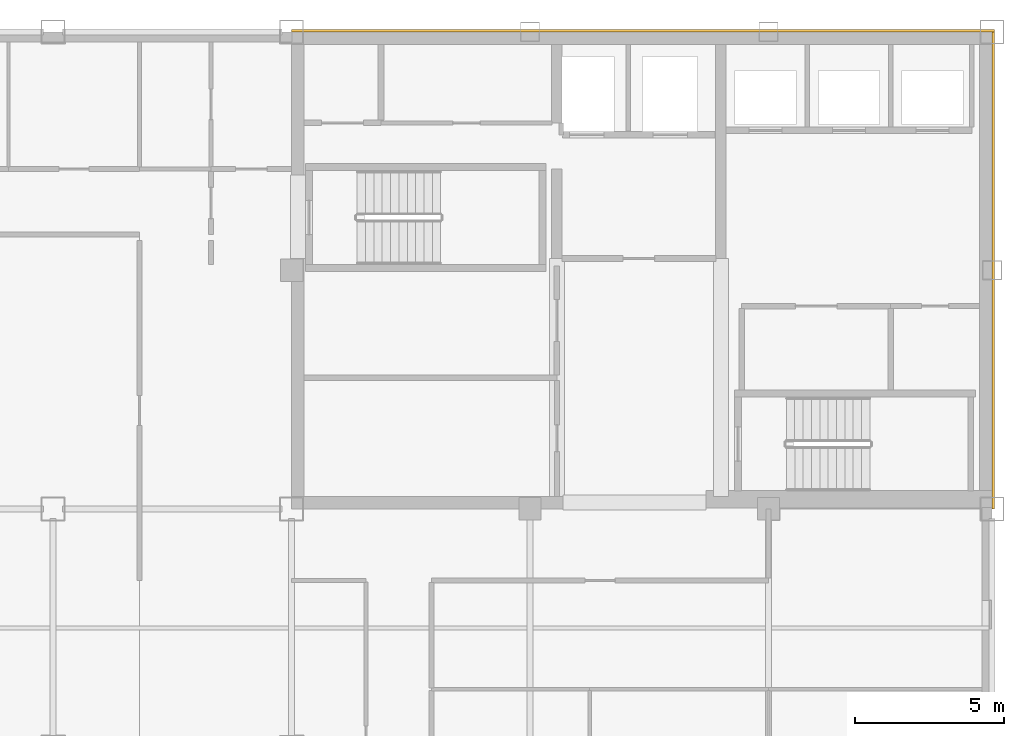
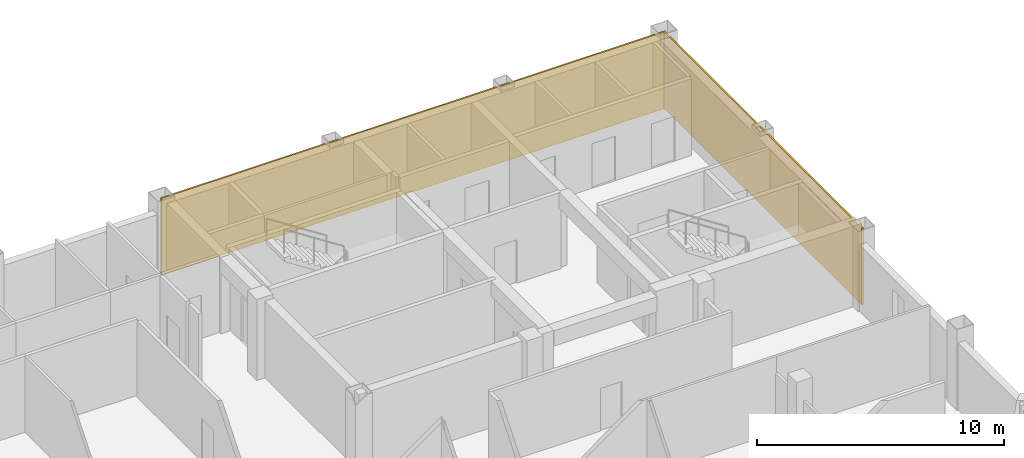
# One storey, part 7 of 7: 2 coverings.
"""IFC4 building model written with IfcOpenShell, lengths in metres."""

from ifc_helpers import new_model, si_unit, direction, frame, origin, origin_2d, place, context, subcontext, project, spatial, rectangle, extrude, material, layer, layer_set, type_object, element, save


model = new_model("IFC4")

# Units and contexts
model_context = context("Model", 3, precision=1e-05, world=origin(), true_north=direction((0.0, 1.0)))
body_context = subcontext(model_context, "Body", "Model", "MODEL_VIEW")
ifc_project = project(units=[si_unit("LENGTHUNIT", "METRE"), si_unit("AREAUNIT", "SQUARE_METRE"), si_unit("VOLUMEUNIT", "CUBIC_METRE"), si_unit("PLANEANGLEUNIT", "RADIAN"), si_unit("MASSUNIT", "GRAM", prefix="KILO")], contexts=[model_context])

# Site, building, storey
site_placement = place(None, origin())
site = spatial("IfcSite", under=ifc_project, at=site_placement, CompositionType="ELEMENT")
building_placement = place(site_placement, origin())
building = spatial("IfcBuilding", under=site, at=building_placement, Name="Qianrong Seaharbour Tower", CompositionType="ELEMENT")
storey_placement = place(building_placement, frame((0.0, 0.0, 359.199951171875)))
storey = spatial("IfcBuildingStorey", under=building, at=storey_placement, Name="L87", CompositionType="ELEMENT", Elevation=359.199951171875)

# Coverings
ifc_material = material(Name="Unitised red brick cladding on Precast concrete C45/55", Category="masonry")
ifc_layer = layer(ifc_material, 0.080078125)
ifc_layer_set = layer_set([ifc_layer], Name="Unitised red brick cladding on Precast concrete C45/55")
covering_type = type_object("IfcCoveringType", Name="COV-CLAD-RED-BRICK-80", PredefinedType="CLADDING", material=ifc_layer_set)
covering_1_placement = place(storey_placement, frame((52.2900390625, 52.0400390625, 0.0), z_axis=(0.0, 0.0, 1.0), x_axis=(1.0, 0.0, 0.0)))
element("IfcCovering", 1, at=covering_1_placement, inside=storey, type_object=covering_type, Name="L87 North Core Brick Veneer Cladding", PredefinedType="CLADDING", context=body_context, shape_type="SweptSolid", body=[
    extrude(rectangle(XDim=23.580078125, YDim=0.080078125, at=origin_2d()), origin(), (0.0, 0.0, 1.0), 3.784912109375),
])
covering_2_placement = place(storey_placement, frame((64.0400390625, 44.0, 0.0), z_axis=(0.0, 0.0, 1.0), x_axis=(1.0, 0.0, 0.0)))
element("IfcCovering", 2, at=covering_2_placement, inside=storey, type_object=covering_type, Name="L87 East Core Brick Veneer Cladding", PredefinedType="CLADDING", context=body_context, shape_type="SweptSolid", body=[
    extrude(rectangle(XDim=0.080078125, YDim=16.0, at=origin_2d()), origin(), (0.0, 0.0, 1.0), 3.784912109375),
])

save(model, "model.ifc")
